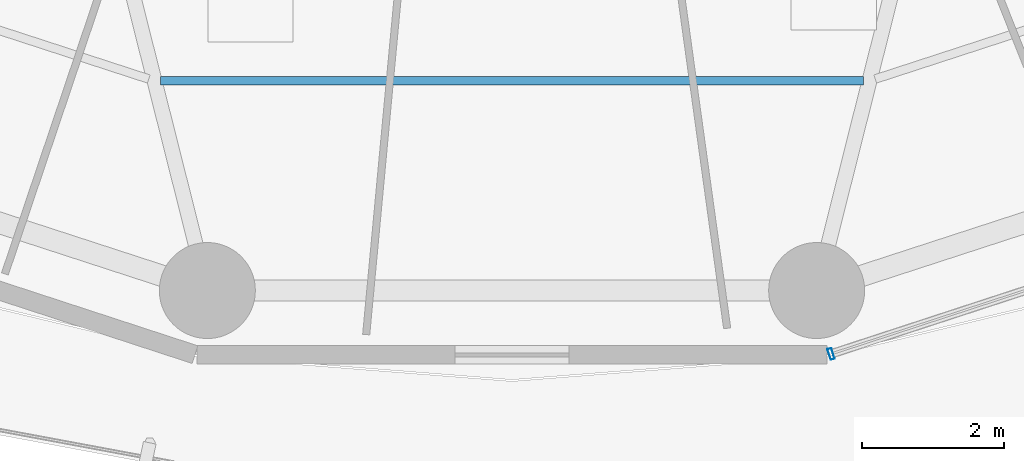
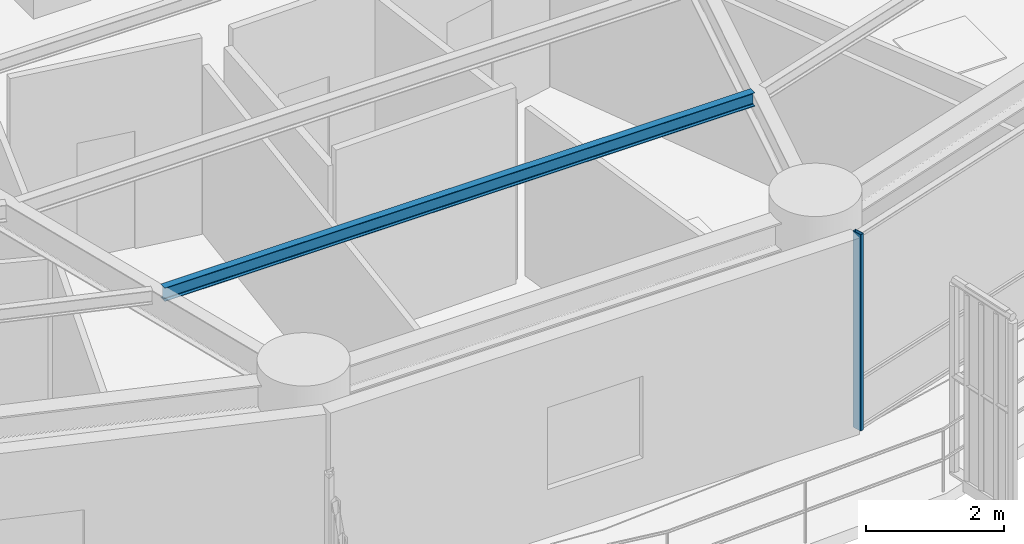
# One storey, part 4 of 35: 1 beam, 1 member, 1 element without a shape of its own.
"""IFC4 building model written with IfcOpenShell, lengths in metres."""

from ifc_helpers import new_model, si_unit, direction, frame, origin, origin_2d, place, context, subcontext, project, spatial, hollow_rectangle, i_section, extrude, material, layer, layer_set, material_profile, profile_set, type_object, element, aggregate, save


model = new_model("IFC4")

# Units and contexts
model_context = context("Model", 3, precision=1e-05, world=origin(), true_north=direction((0.0, 1.0)))
body_context = subcontext(model_context, "Body", "Model", "MODEL_VIEW")
ifc_project = project(units=[si_unit("LENGTHUNIT", "METRE"), si_unit("AREAUNIT", "SQUARE_METRE"), si_unit("VOLUMEUNIT", "CUBIC_METRE"), si_unit("PLANEANGLEUNIT", "RADIAN"), si_unit("MASSUNIT", "GRAM", prefix="KILO")], contexts=[model_context])

# Site, building, storey
site_placement = place(None, origin())
site = spatial("IfcSite", under=ifc_project, at=site_placement, CompositionType="ELEMENT")
building_placement = place(site_placement, origin())
building = spatial("IfcBuilding", under=site, at=building_placement, Name="Kelanora Arch Commons", CompositionType="ELEMENT")
storey_placement = place(building_placement, frame((0.0, 0.0, 87.60009765625)))
storey = spatial("IfcBuildingStorey", under=building, at=storey_placement, Name="L22", CompositionType="ELEMENT", Elevation=87.60009765625)

# Beam
ifc_material_1 = material(Name="Steel S355", Category="steel")
ifc_material_profile_1 = material_profile(ifc_material_1, i_section(OverallWidth=0.1201171875, OverallDepth=0.239990234375, WebThickness=0.006103515625, FlangeThickness=0.009765625, FilletRadius=0.014892578125, at=origin_2d()), Name="IPE240")
ifc_profile_set_1 = profile_set([ifc_material_profile_1], Name="Steel S355")
beam_type = type_object("IfcBeamType", Name="BM-JST-02", PredefinedType="JOIST", material=ifc_profile_set_1)
beam_placement = place(storey_placement, frame((69.056396484375, 39.204345703125, 3.369873046875), z_axis=(1.0, 0.0, 0.0), x_axis=(0.0, 1.0, 0.0)))
element("IfcBeam", 1, at=beam_placement, inside=storey, type_object=beam_type, Name="Secondary Chord Joist BJC-26 L22", PredefinedType="JOIST", context=body_context, shape_type="SweptSolid", body=[
    extrude(i_section(OverallWidth=0.1201171875, OverallDepth=0.239990234375, WebThickness=0.006103515625, FlangeThickness=0.009765625, FilletRadius=0.014892578125, at=origin_2d()), origin(), (0.0, 0.0, 1.0), 9.88720703125),
])

# Curtain wall, member
ifc_material_2 = material(Name="Terracotta ceramic-fritted low-E glass and aluminium", Category="masonry")
ifc_layer = layer(ifc_material_2, 0.159912109375)
ifc_layer_set = layer_set([ifc_layer], Name="Terracotta ceramic-fritted low-E glass and aluminium")
curtain_wall_type = type_object("IfcCurtainWallType", Name="CW-SYS-01", PredefinedType="NOTDEFINED", material=ifc_layer_set)
curtain_wall_placement = place(storey_placement, origin())
curtain_wall = element("IfcCurtainWall", 2, at=curtain_wall_placement, inside=storey, type_object=curtain_wall_type, Name="Unitised Curtain Wall L22-B14", PredefinedType="NOTDEFINED")
ifc_material_3 = material(Name="Powder-coated aluminium terracotta", Category="masonry")
ifc_material_profile_2 = material_profile(ifc_material_3, hollow_rectangle(XDim=0.159912109375, YDim=0.06005859375, WallThickness=0.0048828125, InnerFilletRadius=0.0048828125, OuterFilletRadius=0.010009765625, at=origin_2d()), Name="CWM160x60")
ifc_profile_set_2 = profile_set([ifc_material_profile_2], Name="Powder-coated aluminium terracotta")
member_type = type_object("IfcMemberType", Name="CWM-STD", PredefinedType="MULLION", material=ifc_profile_set_2)
member_placement = place(storey_placement, frame((78.48828125, 35.363525390625, 0.0), z_axis=(0.0, 0.0, 1.0), x_axis=(-0.31080470294, 0.950473795867, 0.0)))
member = element("IfcMember", 3, at=member_placement, type_object=member_type, Name="CW-01 mullion 1", PredefinedType="MULLION", context=body_context, shape_type="SweptSolid", body=[
    extrude(hollow_rectangle(XDim=0.159912109375, YDim=0.06005859375, WallThickness=0.0048828125, InnerFilletRadius=0.0048828125, OuterFilletRadius=0.010009765625, at=origin_2d()), origin(), (0.0, 0.0, 1.0), 3.474853515625),
])
aggregate(curtain_wall, [member])

save(model, "model.ifc")
